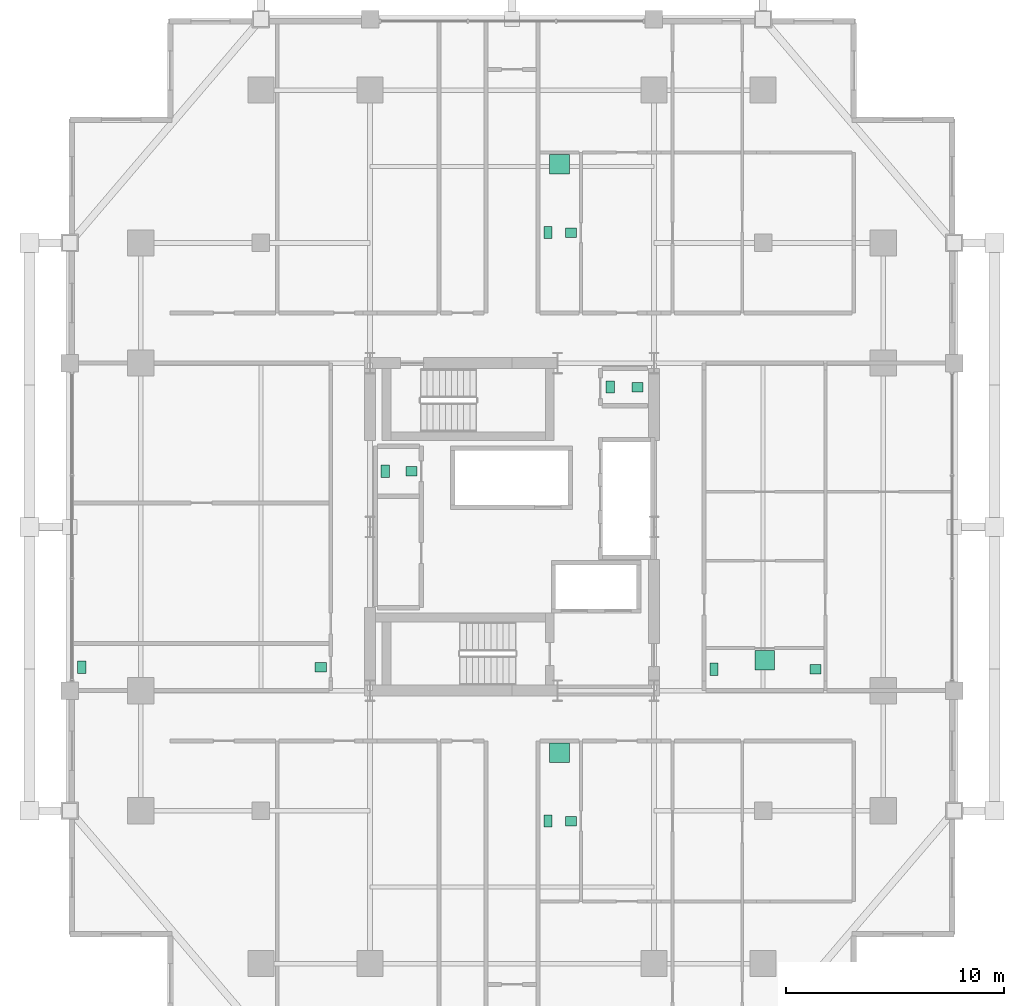
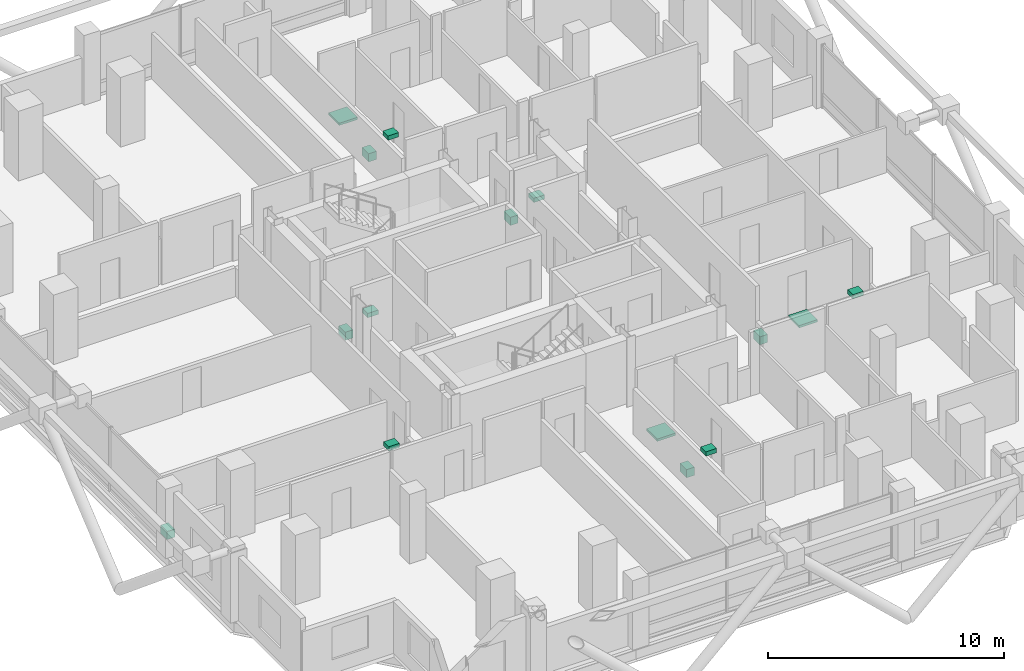
# One storey, part 25 of 25: 15 sanitary terminals.
"""IFC4 building model written with IfcOpenShell, lengths in metres."""

from ifc_helpers import new_model, si_unit, direction, frame, origin, origin_2d, place, context, subcontext, project, spatial, rectangle, extrude, material, type_object, element, save


model = new_model("IFC4")

# Units and contexts
model_context = context("Model", 3, precision=1e-05, world=origin(), true_north=direction((0.0, 1.0)))
body_context = subcontext(model_context, "Body", "Model", "MODEL_VIEW")
ifc_project = project(units=[si_unit("LENGTHUNIT", "METRE"), si_unit("AREAUNIT", "SQUARE_METRE"), si_unit("VOLUMEUNIT", "CUBIC_METRE"), si_unit("PLANEANGLEUNIT", "RADIAN"), si_unit("MASSUNIT", "GRAM", prefix="KILO")], contexts=[model_context])

# Site, building, storey
site_placement = place(None, origin())
site = spatial("IfcSite", under=ifc_project, at=site_placement, CompositionType="ELEMENT")
building_placement = place(site_placement, origin())
building = spatial("IfcBuilding", under=site, at=building_placement, Name="Barlavira Tower and Art Museum", CompositionType="ELEMENT")
storey_placement = place(building_placement, frame((0.0, 0.0, 162.0)))
storey = spatial("IfcBuildingStorey", under=building, at=storey_placement, Name="L41", CompositionType="ELEMENT", Elevation=162.0)

# Sanitary terminals
ifc_material = material(Name="Vitreous glazed ceramic", Category="ceramic")
sanitary_terminal_type_1 = type_object("IfcSanitaryTerminalType", Name="Countertop Ceramic Wash Hand Basin", PredefinedType="WASHHANDBASIN", material=ifc_material)
for number, where, z_axis, x_axis, name in (
    (1, (-4.60009765625, 2.550048828125, 0.740234375), (0.0, 0.0, 1.0), (1.0, 0.0, 0.0), "L41-C-REC1W Wash Basin"),
    (2, (5.75, 6.39990234375, 0.740234375), (0.0, 0.0, 1.0), (1.0, 0.0, 0.0), "L41-C-AWC4 Wash Basin"),
    (3, (2.699951171875, -13.47509765625, 0.740234375), (0.0, 0.0, 1.0), (1.0, 0.0, 0.0), "L41-SE1-BTH1 Wash Basin"),
    (4, (2.699951171875, 13.47509765625, 0.740234375), (0.0, 0.0, 1.0), (1.0, 0.0, 0.0), "L41-NE1-BTH1 Wash Basin"),
    (5, (-8.75, -6.425048828125, 0.740234375), (0.0, 0.0, 1.0), (1.0, 0.0, 0.0), "L41-W-SWC Wash Basin"),
    (6, (13.89990234375, -6.52490234375, 0.740234375), (0.0, 0.0, 1.0), (1.0, 0.0, 0.0), "L41-E1-BTH1 Wash Basin"),
):
    element("IfcSanitaryTerminal", number, at=place(storey_placement, frame(where, z_axis=z_axis, x_axis=x_axis)), inside=storey, type_object=sanitary_terminal_type_1, Name=name, PredefinedType="WASHHANDBASIN", context=body_context, shape_type="SweptSolid", body=[
        extrude(rectangle(XDim=0.52001953125, YDim=0.43994140625, at=origin_2d()), origin(), (0.0, 0.0, 1.0), 0.219970703125),
    ])
sanitary_terminal_type_2 = type_object("IfcSanitaryTerminalType", Name="Walk-In Thermostatic Rain Shower Unit", PredefinedType="SHOWER", material=ifc_material)
for number, where, z_axis, x_axis, name in (
    (7, (2.175048828125, -10.35009765625, 0.0), (0.0, 0.0, 1.0), (1.0, 0.0, 0.0), "L41-SE1-BTH1 Rain Shower"),
    (8, (2.175048828125, 16.60009765625, 0.0), (0.0, 0.0, 1.0), (1.0, 0.0, 0.0), "L41-NE1-BTH1 Rain Shower"),
    (9, (11.574951171875, -6.10009765625, 0.0), (0.0, 0.0, 1.0), (1.0, 0.0, 0.0), "L41-E1-BTH1 Rain Shower"),
):
    element("IfcSanitaryTerminal", number, at=place(storey_placement, frame(where, z_axis=z_axis, x_axis=x_axis)), inside=storey, type_object=sanitary_terminal_type_2, Name=name, PredefinedType="SHOWER", context=body_context, shape_type="SweptSolid", body=[
        extrude(rectangle(XDim=0.89990234375, YDim=0.89990234375, at=origin_2d()), origin(), (0.0, 0.0, 1.0), 0.1201171875),
    ])
sanitary_terminal_type_3 = type_object("IfcSanitaryTerminalType", Name="Wall-Hung Dual-Flush Vitreous WC Pan", PredefinedType="TOILETPAN", material=ifc_material)
for number, where, z_axis, x_axis, name in (
    (10, (-5.800048828125, 2.550048828125, 0.0), (0.0, 0.0, 1.0), (1.0, 0.0, 0.0), "L41-C-REC1W WC Pan"),
    (11, (4.5, 6.39990234375, 0.0), (0.0, 0.0, 1.0), (1.0, 0.0, 0.0), "L41-C-AWC4 WC Pan"),
    (12, (1.64990234375, -13.47509765625, 0.0), (0.0, 0.0, 1.0), (1.0, 0.0, 0.0), "L41-SE1-BTH1 WC Pan"),
    (13, (1.64990234375, 13.47509765625, 0.0), (0.0, 0.0, 1.0), (1.0, 0.0, 0.0), "L41-NE1-BTH1 WC Pan"),
    (14, (-19.699951171875, -6.425048828125, 0.0), (0.0, 0.0, 1.0), (1.0, 0.0, 0.0), "L41-W-SWC WC Pan"),
    (15, (9.25, -6.52490234375, 0.0), (0.0, 0.0, 1.0), (1.0, 0.0, 0.0), "L41-E1-BTH1 WC Pan"),
):
    element("IfcSanitaryTerminal", number, at=place(storey_placement, frame(where, z_axis=z_axis, x_axis=x_axis)), inside=storey, type_object=sanitary_terminal_type_3, Name=name, PredefinedType="TOILETPAN", context=body_context, shape_type="SweptSolid", body=[
        extrude(rectangle(XDim=0.3798828125, YDim=0.56005859375, at=origin_2d()), origin(), (0.0, 0.0, 1.0), 0.419921875),
    ])

save(model, "model.ifc")
